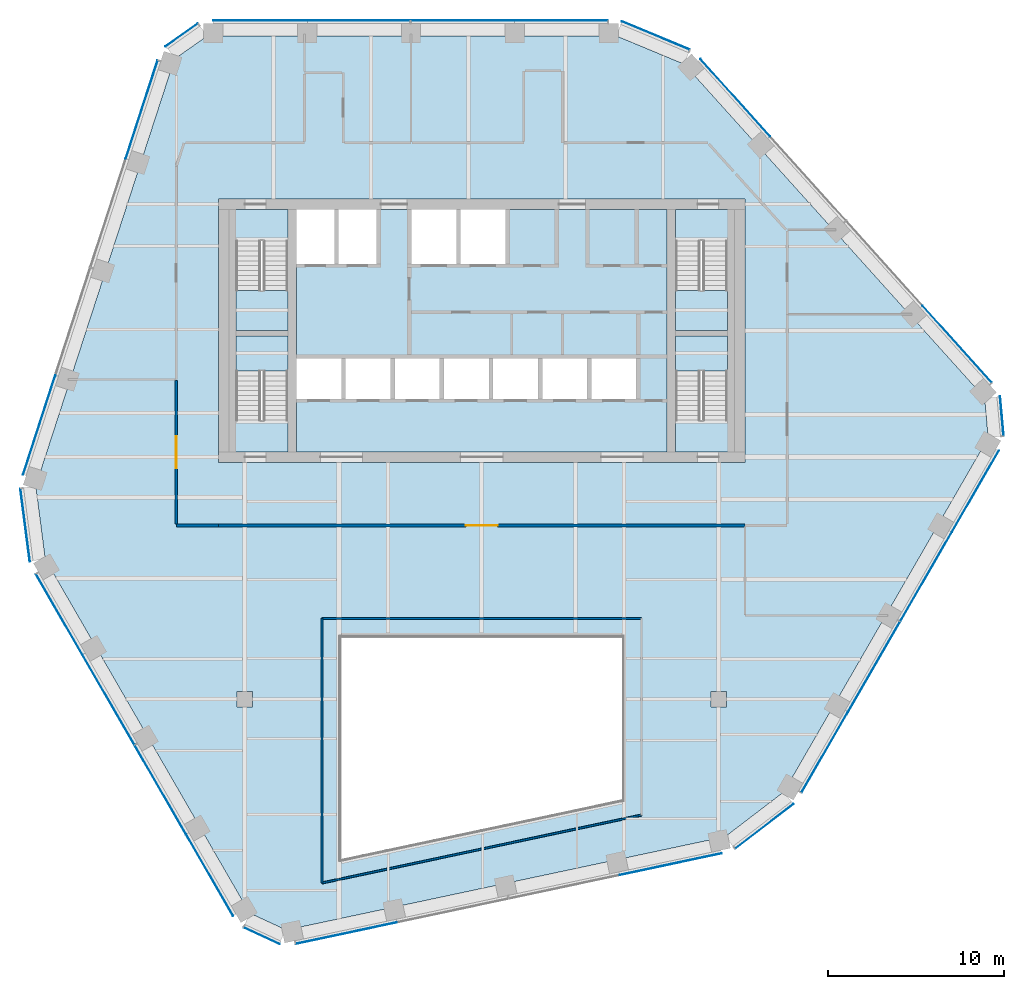
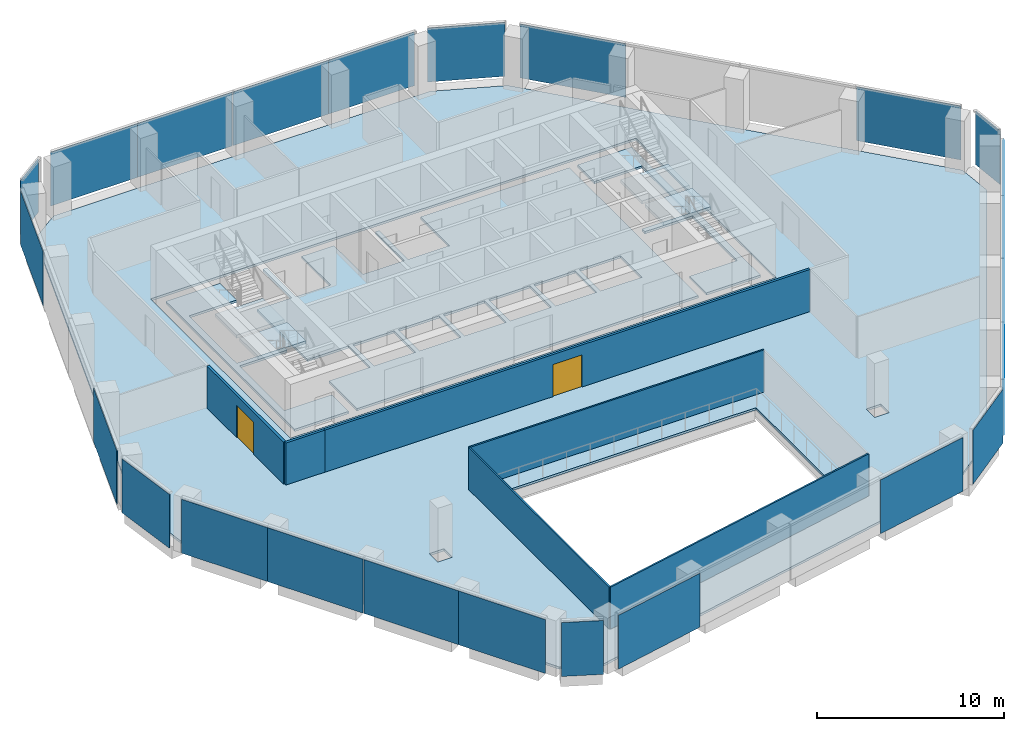
# One storey, part 8 of 15: 24 plates, 8 slabs, 6 walls, 2 doors, 2 openings, 16 elements without a shape of their own.
"""IFC4 building model written with IfcOpenShell, lengths in metres."""

import ifcopenshell
import ifcopenshell.guid

model = None  # the IFC model being written
_history = None  # IfcOwnerHistory: only IFC2X3 demands one
_inside = {}  # id of a spatial element -> (the spatial element, [elements in it])
_under = {}  # id of a project, library or spatial element -> (it, [spatial elements below it])
_declared = {}  # id of a project -> (the project, [libraries it declares])
_typed = {}  # id of a type object -> (the type object, [elements of that type])
_made_of = {}  # id of a material, layer set ... -> (it, [elements and type objects made of it])


def new_model(schema):
    """Start an empty IFC model of exactly this schema.

    Asked for "IFC4X3", IfcOpenShell would pick the latest addendum, in which some entities
    have other attributes; the version numbers below select the first issue.
    IFC2X3 requires an IfcOwnerHistory on every rooted entity: one is made here for all.
    """
    global model, _history
    if schema == "IFC4X3":
        model = ifcopenshell.file(schema_version=(4, 3, 0, 0))
    else:
        model = ifcopenshell.file(schema=schema)
    _inside.clear()
    _under.clear()
    _declared.clear()
    _typed.clear()
    _made_of.clear()
    _history = None
    if model.schema == "IFC2X3":
        org = make("IfcOrganization", Name="unknown")
        user = make(
            "IfcPersonAndOrganization",
            ThePerson=make("IfcPerson", FamilyName="unknown"),
            TheOrganization=org,
        )
        app = make(
            "IfcApplication",
            ApplicationDeveloper=org,
            Version="unknown",
            ApplicationFullName="unknown",
            ApplicationIdentifier="unknown",
        )
        _history = make(
            "IfcOwnerHistory",
            OwningUser=user,
            OwningApplication=app,
            ChangeAction="ADDED",
            CreationDate=0,
        )
    return model


def make(cls, **values):
    """One entity of the class cls with the attributes given. An attribute that is None is left unset."""
    return model.create_entity(
        cls, **{name: value for name, value in values.items() if value is not None}
    )


def rooted(cls, **values):
    """An entity with a GlobalId (a new one), such as an element, a storey or a relation."""
    return make(cls, GlobalId=ifcopenshell.guid.new(), OwnerHistory=_history, **values)


def si_unit(unit_type, name, prefix=None):
    """IfcSIUnit, for example si_unit("LENGTHUNIT", "METRE", prefix="MILLI")."""
    return make("IfcSIUnit", UnitType=unit_type, Prefix=prefix, Name=name)


def assignment(units):
    """IfcUnitAssignment: the units of a project."""
    return None if units is None else make("IfcUnitAssignment", Units=units)


def point(xyz):
    """IfcCartesianPoint."""
    return None if xyz is None else make("IfcCartesianPoint", Coordinates=xyz)


def direction(xyz):
    """IfcDirection."""
    return None if xyz is None else make("IfcDirection", DirectionRatios=xyz)


def frame(location, z_axis=None, x_axis=None):
    """IfcAxis2Placement3D, a coordinate frame: its origin and axes. An axis left out is left unset."""
    return make(
        "IfcAxis2Placement3D",
        Location=point(location),
        Axis=direction(z_axis),
        RefDirection=direction(x_axis),
    )


def frame_2d(location, x_axis=None):
    """IfcAxis2Placement2D, a coordinate frame in the plane: its origin and x axis."""
    return make(
        "IfcAxis2Placement2D", Location=point(location), RefDirection=direction(x_axis)
    )


def origin():
    """The frame at (0, 0, 0) with its axes left unset."""
    return frame((0.0, 0.0, 0.0))


def origin_2d():
    """The frame at (0, 0) in the plane with its x axis left unset."""
    return frame_2d((0.0, 0.0))


def place(relative_to, where):
    """IfcLocalPlacement: puts the frame where relative to a parent placement (None: the world)."""
    return make(
        "IfcLocalPlacement", PlacementRelTo=relative_to, RelativePlacement=where
    )


def context(
    kind, dimensions, precision=None, world=None, true_north=None, identifier=None
):
    """IfcGeometricRepresentationContext, for example the 3D "Model" context."""
    return make(
        "IfcGeometricRepresentationContext",
        ContextIdentifier=identifier,
        ContextType=kind,
        CoordinateSpaceDimension=dimensions,
        Precision=precision,
        WorldCoordinateSystem=world,
        TrueNorth=true_north,
    )


def subcontext(parent, identifier, kind, view, scale=None):
    """IfcGeometricRepresentationSubContext, for example "Body" below "Model"."""
    return make(
        "IfcGeometricRepresentationSubContext",
        ContextIdentifier=identifier,
        ContextType=kind,
        ParentContext=parent,
        TargetScale=scale,
        TargetView=view,
    )


def project(units=None, contexts=None):
    """IfcProject with its units and contexts."""
    return rooted(
        "IfcProject",
        Name="project",
        RepresentationContexts=contexts,
        UnitsInContext=assignment(units),
    )


def spatial(cls, under=None, at=None, **own):
    """A site, building, storey or space (cls), placed at a placement, below another one or the project."""
    s = rooted(cls, ObjectPlacement=at, **own)
    if under is not None:
        _under.setdefault(under.id(), (under, []))[1].append(s)
    return s


def polyline(points):
    """IfcPolyline through the points."""
    return make("IfcPolyline", Points=[point(p) for p in points])


def profile(cls, at=None, kind="AREA", **sizes):
    """A parametric profile (cls). Its sizes go by their IFC names, for example OverallWidth=200.0."""
    return make(cls, ProfileType=kind, Position=at, **sizes)


def rectangle(**sizes):
    """IfcRectangleProfileDef."""
    return profile("IfcRectangleProfileDef", **sizes)


def outline(outer, holes=None, kind="AREA"):
    """IfcArbitraryClosedProfileDef: a profile drawn as a closed curve; with holes, ...WithVoids."""
    if holes is None:
        return make("IfcArbitraryClosedProfileDef", ProfileType=kind, OuterCurve=outer)
    return make(
        "IfcArbitraryProfileDefWithVoids",
        ProfileType=kind,
        OuterCurve=outer,
        InnerCurves=holes,
    )


def extrude(swept, where, along, depth):
    """IfcExtrudedAreaSolid: the profile swept, set in the frame where, extruded along a direction by depth."""
    return make(
        "IfcExtrudedAreaSolid",
        SweptArea=swept,
        Position=where,
        ExtrudedDirection=direction(along),
        Depth=depth,
    )


def shape(context_of_items, identifier, shape_type, items):
    """IfcShapeRepresentation: the items that make up one representation, for example the "Body"."""
    return make(
        "IfcShapeRepresentation",
        ContextOfItems=context_of_items,
        RepresentationIdentifier=identifier,
        RepresentationType=shape_type,
        Items=items,
    )


def material(Name=None, Category=None):
    """IfcMaterial."""
    return make("IfcMaterial", Name=Name, Category=Category)


def layer(
    of_material, thickness, ventilated=None, Name=None, Category=None, Priority=None
):
    """IfcMaterialLayer: one layer of a wall or slab, of a material (None: an air gap)."""
    return make(
        "IfcMaterialLayer",
        Material=of_material,
        LayerThickness=thickness,
        IsVentilated=ventilated,
        Name=Name,
        Category=Category,
        Priority=Priority,
    )


def layer_set(layers, Name=None):
    """IfcMaterialLayerSet."""
    return make("IfcMaterialLayerSet", MaterialLayers=layers, LayerSetName=Name)


def made_of(thing, what):
    """Note that an element or type object is made of a material, layer set ...; save() writes the relation."""
    if what is not None:
        _made_of.setdefault(what.id(), (what, []))[1].append(thing)
    return thing


def type_object(cls, material=None, **own):
    """A type object (cls), such as IfcWallType, which elements share."""
    return made_of(rooted(cls, **own), material)


def element(
    cls,
    number,
    at=None,
    inside=None,
    cuts=None,
    type_object=None,
    material=None,
    context=None,
    identifier="Body",
    shape_type=None,
    held_by="IfcProductDefinitionShape",
    body=None,
    shapes=None,
    **own,
):
    """One element of the class cls, such as IfcWall. Its Tag is "e" and its number.

    at: its placement. inside: the storey or other place that contains it. cuts: it is an
    opening in that element (IfcRelVoidsElement). A single representation is given by context,
    identifier, shape_type and body (its items); several are given by shapes. held_by: the class
    of the entity that holds the representations. save() writes the other relations.
    """
    e = rooted(cls, Tag="e%d" % number, ObjectPlacement=at, **own)
    if body is not None:
        shapes = [shape(context, identifier, shape_type, body)]
    if shapes is not None:
        e.Representation = make(held_by, Representations=shapes)
    if inside is not None:
        _inside.setdefault(inside.id(), (inside, []))[1].append(e)
    if cuts is not None:
        rooted(
            "IfcRelVoidsElement", RelatingBuildingElement=cuts, RelatedOpeningElement=e
        )
    if type_object is not None:
        _typed.setdefault(type_object.id(), (type_object, []))[1].append(e)
    return made_of(e, material)


def fill(opening, filler):
    """IfcRelFillsElement: the door or window that sits in an opening."""
    return rooted(
        "IfcRelFillsElement",
        RelatingOpeningElement=opening,
        RelatedBuildingElement=filler,
    )


def aggregate(whole, parts):
    """IfcRelAggregates: a whole, such as a stair, and the parts it consists of."""
    return rooted("IfcRelAggregates", RelatingObject=whole, RelatedObjects=parts)


def save(model, path):
    """Write the relations noted so far, then the file.

    IfcRelAggregates (storeys below a building ...), IfcRelContainedInSpatialStructure (elements
    in a storey), IfcRelDefinesByType, IfcRelAssociatesMaterial and IfcRelDeclares: one each for
    every whole, place, type object, material and project.
    """
    for whole, parts in _under.values():
        aggregate(whole, parts)
    for where, things in _inside.values():
        rooted(
            "IfcRelContainedInSpatialStructure",
            RelatedElements=things,
            RelatingStructure=where,
        )
    for kind, things in _typed.values():
        rooted("IfcRelDefinesByType", RelatedObjects=things, RelatingType=kind)
    for what, things in _made_of.values():
        rooted("IfcRelAssociatesMaterial", RelatedObjects=things, RelatingMaterial=what)
    for by, libraries in _declared.values():
        rooted("IfcRelDeclares", RelatingContext=by, RelatedDefinitions=libraries)
    model.write(path)


model = new_model("IFC4")

# Units and contexts
model_context = context("Model", 3, precision=1e-05, world=origin(), true_north=direction((0.0, 1.0)))
body_context = subcontext(model_context, "Body", "Model", "MODEL_VIEW")
ifc_project = project(units=[si_unit("LENGTHUNIT", "METRE"), si_unit("AREAUNIT", "SQUARE_METRE"), si_unit("VOLUMEUNIT", "CUBIC_METRE"), si_unit("PLANEANGLEUNIT", "RADIAN"), si_unit("MASSUNIT", "GRAM", prefix="KILO")], contexts=[model_context])

# Site, building, storey
site_placement = place(None, origin())
site = spatial("IfcSite", under=ifc_project, at=site_placement, CompositionType="ELEMENT")
building_placement = place(site_placement, origin())
building = spatial("IfcBuilding", under=site, at=building_placement, Name="Isthmus Gate Tower", CompositionType="ELEMENT")
storey_placement = place(building_placement, frame((0.0, 0.0, 241.85009765625)))
storey = spatial("IfcBuildingStorey", under=building, at=storey_placement, Name="L61", CompositionType="ELEMENT", Elevation=241.85009765625)

# Slabs
ifc_material_1 = material(Name="Concrete f'c 40 MPa", Category="concrete")
ifc_layer_1 = layer(ifc_material_1, 0.14990234375)
ifc_layer_set_1 = layer_set([ifc_layer_1], Name="COMPOSITE FLOOR SLAB 150")
slab_type_1 = type_object("IfcSlabType", Name="COMPOSITE FLOOR SLAB 150", PredefinedType="FLOOR", material=ifc_layer_set_1)
slab_1_placement = place(storey_placement, frame((0.0, 0.0, -0.150146484375)))
element("IfcSlab", 1, at=slab_1_placement, inside=storey, type_object=slab_type_1, Name="str-slab-L61-1", PredefinedType="FLOOR", context=body_context, shape_type="SweptSolid", body=[
    extrude(outline(polyline([(11.539794921875, 22.68310546875), (28.65380859375, 3.67626953125), (28.859375, 1.3857421875), (17.21875, -18.7763671875), (13.874267578125, -21.335205078125), (-11.143310546875, -26.65283203125), (-13.2294921875, -25.685791015625), (-24.8701171875, -5.523681640625), (-25.4140625, -1.347900390625), (-17.510498046875, 22.976806640625), (-15.629638671875, 24.300048828125), (7.6513671875, 24.300048828125), (11.539794921875, 22.68310546875)]), holes=[polyline([(-8.0, -10.0), (-8.0, -22.611083984375), (8.0, -19.210205078125), (8.0, -10.0), (-8.0, -10.0)]), polyline([(-13.949951171875, -13.050048828125), (-13.949951171875, -13.949951171875), (-13.050048828125, -13.949951171875), (-13.050048828125, -13.050048828125), (-13.949951171875, -13.050048828125)]), polyline([(13.050048828125, -13.050048828125), (13.050048828125, -13.949951171875), (13.949951171875, -13.949951171875), (13.949951171875, -13.050048828125), (13.050048828125, -13.050048828125)]), polyline([(-15.0, 0.0), (15.0, 0.0), (15.0, 15.0), (-15.0, 15.0), (-15.0, 0.0)])]), origin(), (0.0, 0.0, 1.0), 0.150146484375),
])
ifc_material_2 = material(Name="Concrete f'c 40 MPa", Category="concrete")
ifc_layer_2 = layer(ifc_material_2, 0.14990234375)
ifc_layer_set_2 = layer_set([ifc_layer_2], Name="CORE FLOOR SLAB 150")
slab_type_2 = type_object("IfcSlabType", Name="CORE FLOOR SLAB 150", PredefinedType="FLOOR", material=ifc_layer_set_2)
slab_2_placement = place(storey_placement, frame((0.0, 0.0, -0.150146484375)))
element("IfcSlab", 2, at=slab_2_placement, inside=storey, type_object=slab_type_2, Name="L61 core floor", PredefinedType="FLOOR", context=body_context, shape_type="SweptSolid", body=[
    extrude(outline(polyline([(-11.050048828125, 0.60009765625), (-11.050048828125, 2.402099609375), (-14.0, 2.402099609375), (-14.0, 7.199951171875), (-11.050048828125, 7.199951171875), (-11.050048828125, 7.5), (-14.0, 7.5), (-14.0, 12.597900390625), (-11.050048828125, 12.597900390625), (-11.050048828125, 14.39990234375), (-14.39990234375, 14.39990234375), (-14.39990234375, 0.60009765625), (-11.050048828125, 0.60009765625)])), origin(), (0.0, 0.0, 1.0), 0.150146484375),
])
slab_3_placement = place(storey_placement, frame((0.0, 0.0, -0.150146484375)))
element("IfcSlab", 3, at=slab_3_placement, inside=storey, type_object=slab_type_2, Name="L61 core floor", PredefinedType="FLOOR", context=body_context, shape_type="SweptSolid", body=[
    extrude(outline(polyline([(10.550048828125, 14.39990234375), (1.35009765625, 14.39990234375), (1.35009765625, 11.300048828125), (-1.199951171875, 11.300048828125), (-1.199951171875, 14.39990234375), (-1.449951171875, 14.39990234375), (-1.449951171875, 11.300048828125), (-4.0, 11.300048828125), (-4.0, 14.39990234375), (-6.0, 14.39990234375), (-6.0, 11.300048828125), (-8.14990234375, 11.300048828125), (-8.14990234375, 14.39990234375), (-8.39990234375, 14.39990234375), (-8.39990234375, 11.300048828125), (-10.550048828125, 11.300048828125), (-10.550048828125, 5.89990234375), (-8.0, 5.89990234375), (-8.0, 3.60009765625), (-10.550048828125, 3.60009765625), (-10.550048828125, 0.60009765625), (10.550048828125, 0.60009765625), (10.550048828125, 14.39990234375)]), holes=[polyline([(-5.199951171875, 5.89990234375), (-5.199951171875, 3.60009765625), (-7.75, 3.60009765625), (-7.75, 5.89990234375), (-5.199951171875, 5.89990234375)]), polyline([(-2.39990234375, 5.89990234375), (-2.39990234375, 3.60009765625), (-4.949951171875, 3.60009765625), (-4.949951171875, 5.89990234375), (-2.39990234375, 5.89990234375)]), polyline([(0.39990234375, 5.89990234375), (0.39990234375, 3.60009765625), (-2.14990234375, 3.60009765625), (-2.14990234375, 5.89990234375), (0.39990234375, 5.89990234375)]), polyline([(3.199951171875, 5.89990234375), (3.199951171875, 3.60009765625), (0.64990234375, 3.60009765625), (0.64990234375, 5.89990234375), (3.199951171875, 5.89990234375)]), polyline([(6.0, 5.89990234375), (6.0, 3.60009765625), (3.449951171875, 3.60009765625), (3.449951171875, 5.89990234375), (6.0, 5.89990234375)]), polyline([(8.800048828125, 5.89990234375), (8.800048828125, 3.60009765625), (6.25, 3.60009765625), (6.25, 5.89990234375), (8.800048828125, 5.89990234375)])]), origin(), (0.0, 0.0, 1.0), 0.150146484375),
])
slab_4_placement = place(storey_placement, frame((0.0, 0.0, -0.150146484375)))
element("IfcSlab", 4, at=slab_4_placement, inside=storey, type_object=slab_type_2, Name="L61 core floor", PredefinedType="FLOOR", context=body_context, shape_type="SweptSolid", body=[
    extrude(outline(polyline([(11.050048828125, 14.39990234375), (11.050048828125, 12.597900390625), (14.0, 12.597900390625), (14.0, 7.5), (11.050048828125, 7.5), (11.050048828125, 7.199951171875), (14.0, 7.199951171875), (14.0, 2.402099609375), (11.050048828125, 2.402099609375), (11.050048828125, 0.60009765625), (14.39990234375, 0.60009765625), (14.39990234375, 14.39990234375), (11.050048828125, 14.39990234375)])), origin(), (0.0, 0.0, 1.0), 0.150146484375),
])

# Curtain wall, plates
ifc_material_3 = material(Name="Aluminium, pale champagne anodised", Category="aluminium")
ifc_layer_3 = layer(ifc_material_3, 0.199951171875)
ifc_layer_set_3 = layer_set([ifc_layer_3], Name="CW-1 UNITISED CURTAIN WALL 200 DEEP")
curtain_wall_type = type_object("IfcCurtainWallType", Name="CW-1 UNITISED CURTAIN WALL 200 DEEP", PredefinedType="NOTDEFINED", material=ifc_layer_set_3)
curtain_wall_1_placement = place(storey_placement, origin())
curtain_wall_1 = element("IfcCurtainWall", 5, at=curtain_wall_1_placement, inside=storey, type_object=curtain_wall_type, Name="CW-1 N L61", PredefinedType="NOTDEFINED")
ifc_material_4 = material(Name="Laminated low-iron glass, pale blue tint", Category="glass")
ifc_layer_4 = layer(ifc_material_4, 0.031982421875)
ifc_layer_set_4 = layer_set([ifc_layer_4], Name="CW-1 CLEAR GLASS LITE 32")
plate_type = type_object("IfcPlateType", Name="CW-1 CLEAR GLASS LITE 32", PredefinedType="CURTAIN_PANEL", material=ifc_layer_set_4)
plate_1_placement = place(storey_placement, frame((4.53076171875, 25.18408203125, 0.0), z_axis=(0.0, 0.0, 1.0), x_axis=(-1.0, 0.0, 0.0)))
plate_1 = element("IfcPlate", 6, at=plate_1_placement, type_object=plate_type, Name="CW-1 glass lite", PredefinedType="CURTAIN_PANEL", context=body_context, shape_type="SweptSolid", body=[
    extrude(rectangle(XDim=5.300537109375, YDim=0.031982421875, at=origin_2d()), origin(), (0.0, 0.0, 1.0), 3.52001953125),
])
plate_2_placement = place(storey_placement, frame((-1.07470703125, 25.18408203125, 0.0), z_axis=(0.0, 0.0, 1.0), x_axis=(-1.0, 0.0, 0.0)))
plate_2 = element("IfcPlate", 7, at=plate_2_placement, type_object=plate_type, Name="CW-1 glass lite", PredefinedType="CURTAIN_PANEL", context=body_context, shape_type="SweptSolid", body=[
    extrude(rectangle(XDim=5.91064453125, YDim=0.031982421875, at=origin_2d()), origin(), (0.0, 0.0, 1.0), 3.52001953125),
])
plate_3_placement = place(storey_placement, frame((-7.015380859375, 25.18408203125, 0.0), z_axis=(0.0, 0.0, 1.0), x_axis=(-1.0, 0.0, 0.0)))
plate_3 = element("IfcPlate", 8, at=plate_3_placement, type_object=plate_type, Name="CW-1 glass lite", PredefinedType="CURTAIN_PANEL", context=body_context, shape_type="SweptSolid", body=[
    extrude(rectangle(XDim=5.8505859375, YDim=0.031982421875, at=origin_2d()), origin(), (0.0, 0.0, 1.0), 3.52001953125),
])
plate_4_placement = place(storey_placement, frame((-12.62109375, 25.18408203125, 0.0), z_axis=(0.0, 0.0, 1.0), x_axis=(-1.0, 0.0, 0.0)))
plate_4 = element("IfcPlate", 9, at=plate_4_placement, type_object=plate_type, Name="CW-1 glass lite", PredefinedType="CURTAIN_PANEL", context=body_context, shape_type="SweptSolid", body=[
    extrude(rectangle(XDim=5.360595703125, YDim=0.031982421875, at=origin_2d()), origin(), (0.0, 0.0, 1.0), 3.52001953125),
])
aggregate(curtain_wall_1, [plate_1, plate_2, plate_3, plate_4])

# Curtain wall, plate
curtain_wall_2_placement = place(storey_placement, origin())
curtain_wall_2 = element("IfcCurtainWall", 10, at=curtain_wall_2_placement, inside=storey, type_object=curtain_wall_type, Name="CW-1 N-NW L61", PredefinedType="NOTDEFINED")
plate_5_placement = place(storey_placement, frame((-17.1025390625, 24.3447265625, 0.0), z_axis=(0.0, 0.0, 1.0), x_axis=(-0.81785959165, -0.57541783805, 0.0)))
plate_5 = element("IfcPlate", 11, at=plate_5_placement, type_object=plate_type, Name="CW-1 glass lite", PredefinedType="CURTAIN_PANEL", context=body_context, shape_type="SweptSolid", body=[
    extrude(rectangle(XDim=2.258544921875, YDim=0.031982421875, at=origin_2d()), origin(), (0.0, 0.0, 1.0), 3.52001953125),
])
aggregate(curtain_wall_2, [plate_5])

# Curtain wall, plates
curtain_wall_3_placement = place(storey_placement, origin())
curtain_wall_3 = element("IfcCurtainWall", 12, at=curtain_wall_3_placement, inside=storey, type_object=curtain_wall_type, Name="CW-1 NW L61", PredefinedType="NOTDEFINED")
plate_6_placement = place(storey_placement, frame((-19.37646484375, 20.0947265625, 0.0), z_axis=(0.0, 0.0, 1.0), x_axis=(-0.309016994375, -0.951056516295, 0.0)))
plate_6 = element("IfcPlate", 13, at=plate_6_placement, type_object=plate_type, Name="CW-1 glass lite", PredefinedType="CURTAIN_PANEL", context=body_context, shape_type="SweptSolid", body=[
    extrude(rectangle(XDim=5.8818359375, YDim=0.031982421875, at=origin_2d()), origin(), (0.0, 0.0, 1.0), 3.52001953125),
])
plate_7_placement = place(storey_placement, frame((-25.215576171875, 2.123779296875, 0.0), z_axis=(0.0, 0.0, 1.0), x_axis=(-0.309016994375, -0.951056516295, 0.0)))
plate_7 = element("IfcPlate", 14, at=plate_7_placement, type_object=plate_type, Name="CW-1 glass lite", PredefinedType="CURTAIN_PANEL", context=body_context, shape_type="SweptSolid", body=[
    extrude(rectangle(XDim=5.94189453125, YDim=0.031982421875, at=origin_2d()), origin(), (0.0, 0.0, 1.0), 3.52001953125),
])
aggregate(curtain_wall_3, [plate_6, plate_7])

# Curtain wall, plate
curtain_wall_4_placement = place(storey_placement, origin())
curtain_wall_4 = element("IfcCurtainWall", 15, at=curtain_wall_4_placement, inside=storey, type_object=curtain_wall_type, Name="CW-1 NW-SW L61", PredefinedType="NOTDEFINED")
plate_8_placement = place(storey_placement, frame((-26.014892578125, -3.57958984375, 0.0), z_axis=(0.0, 0.0, 1.0), x_axis=(0.129164534, -0.991623175988, 0.0)))
plate_8 = element("IfcPlate", 16, at=plate_8_placement, type_object=plate_type, Name="CW-1 glass lite", PredefinedType="CURTAIN_PANEL", context=body_context, shape_type="SweptSolid", body=[
    extrude(rectangle(XDim=4.181396484375, YDim=0.031982421875, at=origin_2d()), origin(), (0.0, 0.0, 1.0), 3.52001953125),
])
aggregate(curtain_wall_4, [plate_8])

# Curtain wall, plates
curtain_wall_5_placement = place(storey_placement, origin())
curtain_wall_5 = element("IfcCurtainWall", 17, at=curtain_wall_5_placement, inside=storey, type_object=curtain_wall_type, Name="CW-1 SW L61", PredefinedType="NOTDEFINED")
plate_9_placement = place(storey_placement, frame((-24.075439453125, -8.668212890625, 0.0), z_axis=(0.0, 0.0, 1.0), x_axis=(0.5, -0.866025403784, 0.0)))
plate_9 = element("IfcPlate", 18, at=plate_9_placement, type_object=plate_type, Name="CW-1 glass lite", PredefinedType="CURTAIN_PANEL", context=body_context, shape_type="SweptSolid", body=[
    extrude(rectangle(XDim=5.300537109375, YDim=0.031982421875, at=origin_2d()), origin(), (0.0, 0.0, 1.0), 3.52001953125),
])
plate_10_placement = place(storey_placement, frame((-21.272705078125, -13.522705078125, 0.0), z_axis=(0.0, 0.0, 1.0), x_axis=(0.5, -0.866025403784, 0.0)))
plate_10 = element("IfcPlate", 19, at=plate_10_placement, type_object=plate_type, Name="CW-1 glass lite", PredefinedType="CURTAIN_PANEL", context=body_context, shape_type="SweptSolid", body=[
    extrude(rectangle(XDim=5.91064453125, YDim=0.031982421875, at=origin_2d()), origin(), (0.0, 0.0, 1.0), 3.52001953125),
])
plate_11_placement = place(storey_placement, frame((-18.30224609375, -18.66748046875, 0.0), z_axis=(0.0, 0.0, 1.0), x_axis=(0.5, -0.866025403784, 0.0)))
plate_11 = element("IfcPlate", 20, at=plate_11_placement, type_object=plate_type, Name="CW-1 glass lite", PredefinedType="CURTAIN_PANEL", context=body_context, shape_type="SweptSolid", body=[
    extrude(rectangle(XDim=5.8505859375, YDim=0.031982421875, at=origin_2d()), origin(), (0.0, 0.0, 1.0), 3.52001953125),
])
plate_12_placement = place(storey_placement, frame((-15.49951171875, -23.52197265625, 0.0), z_axis=(0.0, 0.0, 1.0), x_axis=(0.5, -0.866025403784, 0.0)))
plate_12 = element("IfcPlate", 21, at=plate_12_placement, type_object=plate_type, Name="CW-1 glass lite", PredefinedType="CURTAIN_PANEL", context=body_context, shape_type="SweptSolid", body=[
    extrude(rectangle(XDim=5.360595703125, YDim=0.031982421875, at=origin_2d()), origin(), (0.0, 0.0, 1.0), 3.52001953125),
])
aggregate(curtain_wall_5, [plate_9, plate_10, plate_11, plate_12])

# Curtain wall, plate
curtain_wall_6_placement = place(storey_placement, origin())
curtain_wall_6 = element("IfcCurtainWall", 22, at=curtain_wall_6_placement, inside=storey, type_object=curtain_wall_type, Name="CW-1 SW-S L61", PredefinedType="NOTDEFINED")
plate_13_placement = place(storey_placement, frame((-12.531982421875, -26.9833984375, 0.0), z_axis=(0.0, 0.0, 1.0), x_axis=(0.907256261367, -0.420578264073, 0.0)))
plate_13 = element("IfcPlate", 23, at=plate_13_placement, type_object=plate_type, Name="CW-1 glass lite", PredefinedType="CURTAIN_PANEL", context=body_context, shape_type="SweptSolid", body=[
    extrude(rectangle(XDim=2.258544921875, YDim=0.031982421875, at=origin_2d()), origin(), (0.0, 0.0, 1.0), 3.52001953125),
])
aggregate(curtain_wall_6, [plate_13])

# Curtain wall, plates
curtain_wall_7_placement = place(storey_placement, origin())
curtain_wall_7 = element("IfcCurtainWall", 24, at=curtain_wall_7_placement, inside=storey, type_object=curtain_wall_type, Name="CW-1 S L61", PredefinedType="NOTDEFINED")
plate_14_placement = place(storey_placement, frame((-7.71435546875, -26.827880859375, 0.0), z_axis=(0.0, 0.0, 1.0), x_axis=(0.978147600734, 0.207911690818, 0.0)))
plate_14 = element("IfcPlate", 25, at=plate_14_placement, type_object=plate_type, Name="CW-1 glass lite", PredefinedType="CURTAIN_PANEL", context=body_context, shape_type="SweptSolid", body=[
    extrude(rectangle(XDim=5.8818359375, YDim=0.031982421875, at=origin_2d()), origin(), (0.0, 0.0, 1.0), 3.52001953125),
])
plate_15_placement = place(storey_placement, frame((10.7685546875, -22.899169921875, 0.0), z_axis=(0.0, 0.0, 1.0), x_axis=(0.978147600734, 0.207911690818, 0.0)))
plate_15 = element("IfcPlate", 26, at=plate_15_placement, type_object=plate_type, Name="CW-1 glass lite", PredefinedType="CURTAIN_PANEL", context=body_context, shape_type="SweptSolid", body=[
    extrude(rectangle(XDim=5.94189453125, YDim=0.031982421875, at=origin_2d()), origin(), (0.0, 0.0, 1.0), 3.52001953125),
])
aggregate(curtain_wall_7, [plate_14, plate_15])

# Curtain wall, plate
curtain_wall_8_placement = place(storey_placement, origin())
curtain_wall_8 = element("IfcCurtainWall", 27, at=curtain_wall_8_placement, inside=storey, type_object=curtain_wall_type, Name="CW-1 S-SE L61", PredefinedType="NOTDEFINED")
plate_16_placement = place(storey_placement, frame((16.107421875, -20.73974609375, 0.0), z_axis=(0.0, 0.0, 1.0), x_axis=(0.794188594387, 0.607671355706, 0.0)))
plate_16 = element("IfcPlate", 28, at=plate_16_placement, type_object=plate_type, Name="CW-1 glass lite", PredefinedType="CURTAIN_PANEL", context=body_context, shape_type="SweptSolid", body=[
    extrude(rectangle(XDim=4.181396484375, YDim=0.031982421875, at=origin_2d()), origin(), (0.0, 0.0, 1.0), 3.52001953125),
])
aggregate(curtain_wall_8, [plate_16])

# Curtain wall, plates
curtain_wall_9_placement = place(storey_placement, origin())
curtain_wall_9 = element("IfcCurtainWall", 29, at=curtain_wall_9_placement, inside=storey, type_object=curtain_wall_type, Name="CW-1 SE L61", PredefinedType="NOTDEFINED")
plate_17_placement = place(storey_placement, frame((19.544677734375, -16.515869140625, 0.0), z_axis=(0.0, 0.0, 1.0), x_axis=(0.5, 0.866025403784, 0.0)))
plate_17 = element("IfcPlate", 30, at=plate_17_placement, type_object=plate_type, Name="CW-1 glass lite", PredefinedType="CURTAIN_PANEL", context=body_context, shape_type="SweptSolid", body=[
    extrude(rectangle(XDim=5.300537109375, YDim=0.031982421875, at=origin_2d()), origin(), (0.0, 0.0, 1.0), 3.52001953125),
])
plate_18_placement = place(storey_placement, frame((22.347412109375, -11.6611328125, 0.0), z_axis=(0.0, 0.0, 1.0), x_axis=(0.5, 0.866025403784, 0.0)))
plate_18 = element("IfcPlate", 31, at=plate_18_placement, type_object=plate_type, Name="CW-1 glass lite", PredefinedType="CURTAIN_PANEL", context=body_context, shape_type="SweptSolid", body=[
    extrude(rectangle(XDim=5.91064453125, YDim=0.031982421875, at=origin_2d()), origin(), (0.0, 0.0, 1.0), 3.52001953125),
])
plate_19_placement = place(storey_placement, frame((25.317626953125, -6.5166015625, 0.0), z_axis=(0.0, 0.0, 1.0), x_axis=(0.5, 0.866025403784, 0.0)))
plate_19 = element("IfcPlate", 32, at=plate_19_placement, type_object=plate_type, Name="CW-1 glass lite", PredefinedType="CURTAIN_PANEL", context=body_context, shape_type="SweptSolid", body=[
    extrude(rectangle(XDim=5.8505859375, YDim=0.031982421875, at=origin_2d()), origin(), (0.0, 0.0, 1.0), 3.52001953125),
])
plate_20_placement = place(storey_placement, frame((28.120361328125, -1.661865234375, 0.0), z_axis=(0.0, 0.0, 1.0), x_axis=(0.5, 0.866025403784, 0.0)))
plate_20 = element("IfcPlate", 33, at=plate_20_placement, type_object=plate_type, Name="CW-1 glass lite", PredefinedType="CURTAIN_PANEL", context=body_context, shape_type="SweptSolid", body=[
    extrude(rectangle(XDim=5.360595703125, YDim=0.031982421875, at=origin_2d()), origin(), (0.0, 0.0, 1.0), 3.52001953125),
])
aggregate(curtain_wall_9, [plate_17, plate_18, plate_19, plate_20])

# Curtain wall, plate
curtain_wall_10_placement = place(storey_placement, origin())
curtain_wall_10 = element("IfcCurtainWall", 34, at=curtain_wall_10_placement, inside=storey, type_object=curtain_wall_type, Name="CW-1 SE-NE L61", PredefinedType="NOTDEFINED")
plate_21_placement = place(storey_placement, frame((29.63427734375, 2.638671875, 0.0), z_axis=(0.0, 0.0, 1.0), x_axis=(-0.089396669717, 0.995996102123, 0.0)))
plate_21 = element("IfcPlate", 35, at=plate_21_placement, type_object=plate_type, Name="CW-1 glass lite", PredefinedType="CURTAIN_PANEL", context=body_context, shape_type="SweptSolid", body=[
    extrude(rectangle(XDim=2.258544921875, YDim=0.031982421875, at=origin_2d()), origin(), (0.0, 0.0, 1.0), 3.52001953125),
])
aggregate(curtain_wall_10, [plate_21])

# Curtain wall, plates
curtain_wall_11_placement = place(storey_placement, origin())
curtain_wall_11 = element("IfcCurtainWall", 36, at=curtain_wall_11_placement, inside=storey, type_object=curtain_wall_type, Name="CW-1 NE L61", PredefinedType="NOTDEFINED")
plate_22_placement = place(storey_placement, frame((27.0908203125, 6.733154296875, 0.0), z_axis=(0.0, 0.0, 1.0), x_axis=(-0.669130606359, 0.743144825477, 0.0)))
plate_22 = element("IfcPlate", 37, at=plate_22_placement, type_object=plate_type, Name="CW-1 glass lite", PredefinedType="CURTAIN_PANEL", context=body_context, shape_type="SweptSolid", body=[
    extrude(rectangle(XDim=5.8818359375, YDim=0.031982421875, at=origin_2d()), origin(), (0.0, 0.0, 1.0), 3.52001953125),
])
plate_23_placement = place(storey_placement, frame((14.447021484375, 20.775390625, 0.0), z_axis=(0.0, 0.0, 1.0), x_axis=(-0.669130606359, 0.743144825477, 0.0)))
plate_23 = element("IfcPlate", 38, at=plate_23_placement, type_object=plate_type, Name="CW-1 glass lite", PredefinedType="CURTAIN_PANEL", context=body_context, shape_type="SweptSolid", body=[
    extrude(rectangle(XDim=5.94189453125, YDim=0.031982421875, at=origin_2d()), origin(), (0.0, 0.0, 1.0), 3.52001953125),
])
aggregate(curtain_wall_11, [plate_22, plate_23])

# Curtain wall, plate
curtain_wall_12_placement = place(storey_placement, origin())
curtain_wall_12 = element("IfcCurtainWall", 39, at=curtain_wall_12_placement, inside=storey, type_object=curtain_wall_type, Name="CW-1 NE-N L61", PredefinedType="NOTDEFINED")
plate_24_placement = place(storey_placement, frame((9.907470703125, 24.3193359375, 0.0), z_axis=(0.0, 0.0, 1.0), x_axis=(-0.923353128387, 0.383951820282, 0.0)))
plate_24 = element("IfcPlate", 40, at=plate_24_placement, type_object=plate_type, Name="CW-1 glass lite", PredefinedType="CURTAIN_PANEL", context=body_context, shape_type="SweptSolid", body=[
    extrude(rectangle(XDim=4.181396484375, YDim=0.031982421875, at=origin_2d()), origin(), (0.0, 0.0, 1.0), 3.52001953125),
])
aggregate(curtain_wall_12, [plate_24])

# Stair, slab
ifc_material_5 = material(Name="Concrete f'c 40 MPa", Category="concrete")
stair_type = type_object("IfcStairType", Name="CORE STAIR 22 RISERS", PredefinedType="HALF_TURN_STAIR", material=ifc_material_5)
stair_1_placement = place(storey_placement, origin())
stair_1 = element("IfcStair", 41, at=stair_1_placement, inside=storey, type_object=stair_type, Name="L61 Exit Stair 1", PredefinedType="HALF_TURN_STAIR")
ifc_material_6 = material(Name="Concrete f'c 40 MPa", Category="concrete")
ifc_layer_5 = layer(ifc_material_6, 0.199951171875)
ifc_layer_set_5 = layer_set([ifc_layer_5])
slab_type_3 = type_object("IfcSlabType", Name="STAIR LANDING RC 200", PredefinedType="LANDING", material=ifc_layer_set_5)
slab_5_placement = place(storey_placement, frame((0.0, 0.0, 1.625)))
slab_5 = element("IfcSlab", 42, at=slab_5_placement, type_object=slab_type_3, Name="ST1 landing 1", PredefinedType="LANDING", context=body_context, shape_type="SweptSolid", body=[
    extrude(outline(polyline([(-14.0, 9.800048828125), (-14.0, 7.5), (-11.050048828125, 7.5), (-11.050048828125, 9.800048828125), (-14.0, 9.800048828125)])), origin(), (0.0, 0.0, 1.0), 0.199951171875),
])
aggregate(stair_1, [slab_5])

stair_2_placement = place(storey_placement, origin())
stair_2 = element("IfcStair", 43, at=stair_2_placement, inside=storey, type_object=stair_type, Name="L61 Exit Stair 2", PredefinedType="HALF_TURN_STAIR")
slab_6_placement = place(storey_placement, frame((0.0, 0.0, 1.625)))
slab_6 = element("IfcSlab", 44, at=slab_6_placement, type_object=slab_type_3, Name="ST2 landing 1", PredefinedType="LANDING", context=body_context, shape_type="SweptSolid", body=[
    extrude(outline(polyline([(11.050048828125, 9.800048828125), (11.050048828125, 7.5), (14.0, 7.5), (14.0, 9.800048828125), (11.050048828125, 9.800048828125)])), origin(), (0.0, 0.0, 1.0), 0.199951171875),
])
aggregate(stair_2, [slab_6])

stair_3_placement = place(storey_placement, origin())
stair_3 = element("IfcStair", 45, at=stair_3_placement, inside=storey, type_object=stair_type, Name="L61 Exit Stair 7", PredefinedType="HALF_TURN_STAIR")
slab_7_placement = place(storey_placement, frame((0.0, 0.0, 1.625)))
slab_7 = element("IfcSlab", 46, at=slab_7_placement, type_object=slab_type_3, Name="ST7 landing 1", PredefinedType="LANDING", context=body_context, shape_type="SweptSolid", body=[
    extrude(outline(polyline([(-11.050048828125, 5.199951171875), (-11.050048828125, 7.199951171875), (-14.0, 7.199951171875), (-14.0, 5.199951171875), (-11.050048828125, 5.199951171875)])), origin(), (0.0, 0.0, 1.0), 0.199951171875),
])
aggregate(stair_3, [slab_7])

stair_4_placement = place(storey_placement, origin())
stair_4 = element("IfcStair", 47, at=stair_4_placement, inside=storey, type_object=stair_type, Name="L61 Exit Stair 8", PredefinedType="HALF_TURN_STAIR")
slab_8_placement = place(storey_placement, frame((0.0, 0.0, 1.625)))
slab_8 = element("IfcSlab", 48, at=slab_8_placement, type_object=slab_type_3, Name="ST8 landing 1", PredefinedType="LANDING", context=body_context, shape_type="SweptSolid", body=[
    extrude(outline(polyline([(14.0, 5.199951171875), (14.0, 7.199951171875), (11.050048828125, 7.199951171875), (11.050048828125, 5.199951171875), (14.0, 5.199951171875)])), origin(), (0.0, 0.0, 1.0), 0.199951171875),
])
aggregate(stair_4, [slab_8])

# Walls
ifc_material_7 = material(Name="Fire-rated laminated glass in steel frame", Category="steel")
ifc_layer_6 = layer(ifc_material_7, 0.10009765625)
ifc_layer_set_6 = layer_set([ifc_layer_6], Name="ATRIUM SCREEN GLAZED WALL 100 120 MIN")
wall_type_1 = type_object("IfcWallType", Name="ATRIUM SCREEN GLAZED WALL 100 120 MIN", PredefinedType="PARTITIONING", material=ifc_layer_set_6)
wall_1_placement = place(storey_placement, frame((-9.10009765625, -8.89990234375, 0.0), z_axis=(0.0, 0.0, 1.0), x_axis=(1.0, 0.0, 0.0)))
element("IfcWall", 49, at=wall_1_placement, inside=storey, type_object=wall_type_1, Name="L61 atrium screen", PredefinedType="PARTITIONING", context=body_context, shape_type="SweptSolid", body=[
    extrude(rectangle(XDim=18.2001953125, YDim=0.10009765625, at=frame_2d((9.10009765625, 0.0))), origin(), (0.0, 0.0, 1.0), 2.75048828125),
])
wall_2_placement = place(storey_placement, frame((9.10009765625, -20.100830078125, 0.0), z_axis=(0.0, 0.0, 1.0), x_axis=(-0.978146710971, -0.207915876778, 0.0)))
element("IfcWall", 50, at=wall_2_placement, inside=storey, type_object=wall_type_1, Name="L61 atrium screen", PredefinedType="PARTITIONING", context=body_context, shape_type="SweptSolid", body=[
    extrude(rectangle(XDim=18.60693359375, YDim=0.10009765625, at=frame_2d((9.303466796875, 0.0))), origin(), (0.0, 0.0, 1.0), 2.75048828125),
])
wall_3_placement = place(storey_placement, frame((-9.10009765625, -23.969482421875, 0.0), z_axis=(0.0, 0.0, 1.0), x_axis=(0.0, 1.0, 0.0)))
element("IfcWall", 51, at=wall_3_placement, inside=storey, type_object=wall_type_1, Name="L61 atrium screen", PredefinedType="PARTITIONING", context=body_context, shape_type="SweptSolid", body=[
    extrude(rectangle(XDim=15.069580078125, YDim=0.10009765625, at=frame_2d((7.53466796875, 0.0))), origin(), (0.0, 0.0, 1.0), 2.75048828125),
])

# Wall, opening, door
ifc_material_8 = material(Name="Gypsum board on steel studs, fire-rated", Category="steel")
ifc_layer_7 = layer(ifc_material_8, 0.14990234375)
ifc_layer_set_7 = layer_set([ifc_layer_7], Name="CORRIDOR WALL 150 60 MIN")
wall_type_2 = type_object("IfcWallType", Name="CORRIDOR WALL 150 60 MIN", PredefinedType="PARTITIONING", material=ifc_layer_set_7)
wall_4_placement = place(storey_placement, frame((15.0, -3.60009765625, 0.0), z_axis=(0.0, 0.0, 1.0), x_axis=(-1.0, 0.0, 0.0)))
wall_4 = element("IfcWall", 52, at=wall_4_placement, inside=storey, type_object=wall_type_2, Name="L61 Corridor Wall 150 60 Min", PredefinedType="PARTITIONING", context=body_context, shape_type="SweptSolid", body=[
    extrude(rectangle(XDim=30.0, YDim=0.14990234375, at=frame_2d((15.0, 0.0))), origin(), (0.0, 0.0, 1.0), 2.75048828125),
])
opening_1_placement = place(wall_4_placement, frame((14.10009765625, 0.0, 0.0)))
opening_1 = element("IfcOpeningElement", 53, at=opening_1_placement, cuts=wall_4, Name="Opening DT-T5C-06", PredefinedType="OPENING", context=body_context, shape_type="SweptSolid", body=[
    extrude(rectangle(XDim=1.800048828125, YDim=2.10009765625, at=frame_2d((0.89990234375, 1.050048828125))), frame((0.0, 0.0849609375, 0.0), z_axis=(0.0, -1.0, 0.0), x_axis=(1.0, 0.0, 0.0)), (0.0, 0.0, 1.0), 0.169921875),
])
ifc_material_9 = material(Name="Solid core timber door leaf, fire-rated", Category="wood")
door_type = type_object("IfcDoorType", Name="FIRE DOOR ROOM 1800 X 2100 60 MIN", OperationType="DOUBLE_DOOR_DOUBLE_SWING", PredefinedType="DOOR", material=ifc_material_9)
door_1_placement = place(opening_1_placement, origin())
door_1 = element("IfcDoor", 54, at=door_1_placement, inside=storey, type_object=door_type, Name="L61 room door", OperationType="DOUBLE_DOOR_DOUBLE_SWING", OverallHeight=2.10009765625, OverallWidth=1.800048828125, PredefinedType="DOOR", context=body_context, shape_type="SweptSolid", body=[
    extrude(rectangle(XDim=1.800048828125, YDim=2.10009765625, at=frame_2d((0.89990234375, 1.050048828125))), frame((0.0, 0.02490234375, 0.0), z_axis=(0.0, -1.0, 0.0), x_axis=(1.0, 0.0, 0.0)), (0.0, 0.0, 1.0), 0.050048828125),
])
fill(opening_1, door_1)

# Wall
wall_5_placement = place(storey_placement, frame((-15.0, -3.60009765625, 0.0), z_axis=(0.0, 0.0, 1.0), x_axis=(-1.0, 0.0, 0.0)))
element("IfcWall", 55, at=wall_5_placement, inside=storey, type_object=wall_type_2, Name="L61 Corridor Wall 150 60 Min", PredefinedType="PARTITIONING", context=body_context, shape_type="SweptSolid", body=[
    extrude(rectangle(XDim=2.39990234375, YDim=0.14990234375, at=frame_2d((1.199951171875, 0.0))), origin(), (0.0, 0.0, 1.0), 2.75048828125),
])

# Wall, opening, door
wall_6_placement = place(storey_placement, frame((-17.39990234375, -3.52490234375, 0.0), z_axis=(0.0, 0.0, 1.0), x_axis=(0.0, 1.0, 0.0)))
wall_6 = element("IfcWall", 56, at=wall_6_placement, inside=storey, type_object=wall_type_2, Name="L61 Corridor Wall 150 60 Min", PredefinedType="PARTITIONING", context=body_context, shape_type="SweptSolid", body=[
    extrude(rectangle(XDim=8.197998046875, YDim=0.14990234375, at=frame_2d((4.09912109375, 0.0))), origin(), (0.0, 0.0, 1.0), 2.75048828125),
])
opening_2_placement = place(wall_6_placement, frame((3.198974609375, 0.0, 0.0)))
opening_2 = element("IfcOpeningElement", 57, at=opening_2_placement, cuts=wall_6, Name="Opening DT-T5C-07", PredefinedType="OPENING", context=body_context, shape_type="SweptSolid", body=[
    extrude(rectangle(XDim=1.800048828125, YDim=2.10009765625, at=frame_2d((0.89990234375, 1.050048828125))), frame((0.0, 0.0849609375, 0.0), z_axis=(0.0, -1.0, 0.0), x_axis=(1.0, 0.0, 0.0)), (0.0, 0.0, 1.0), 0.169921875),
])
door_2_placement = place(opening_2_placement, origin())
door_2 = element("IfcDoor", 58, at=door_2_placement, inside=storey, type_object=door_type, Name="L61 room door", OperationType="DOUBLE_DOOR_DOUBLE_SWING", OverallHeight=2.10009765625, OverallWidth=1.800048828125, PredefinedType="DOOR", context=body_context, shape_type="SweptSolid", body=[
    extrude(rectangle(XDim=1.800048828125, YDim=2.10009765625, at=frame_2d((0.89990234375, 1.050048828125))), frame((0.0, 0.02490234375, 0.0), z_axis=(0.0, -1.0, 0.0), x_axis=(1.0, 0.0, 0.0)), (0.0, 0.0, 1.0), 0.050048828125),
])
fill(opening_2, door_2)

save(model, "model.ifc")
